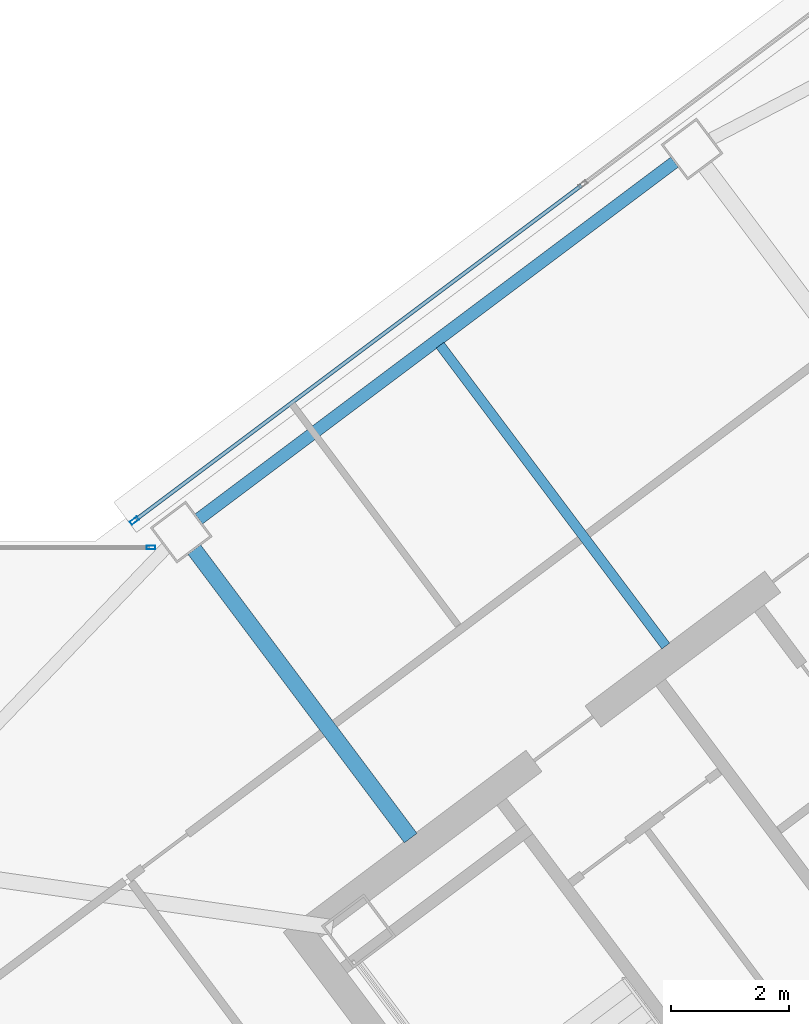
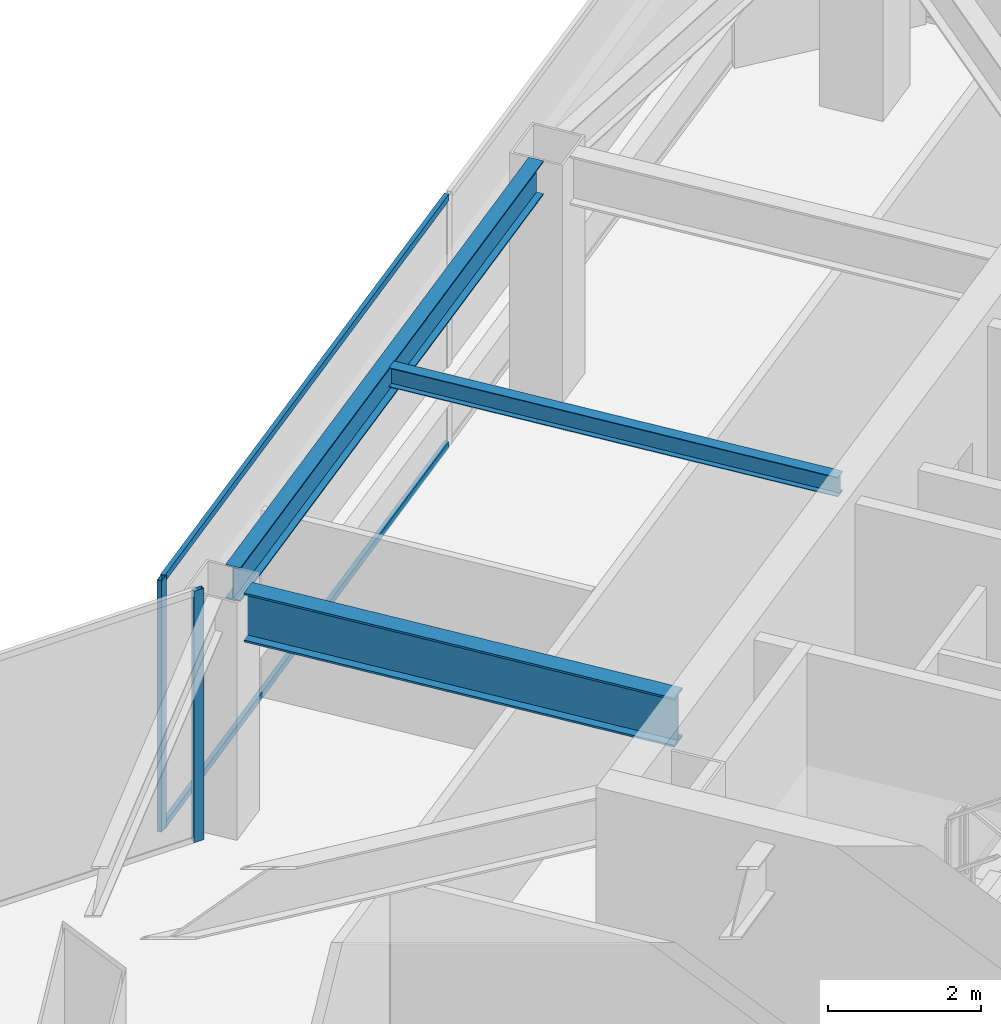
# One storey, part 35 of 53: 4 members, 3 beams, 2 elements without a shape of their own.
"""IFC4 building model written with IfcOpenShell, lengths in metres."""

from ifc_helpers import new_model, si_unit, direction, frame, origin, origin_2d, place, context, subcontext, project, spatial, hollow_rectangle, i_section, extrude, material, material_profile, profile_set, type_object, element, aggregate, save


model = new_model("IFC4")

# Units and contexts
model_context = context("Model", 3, precision=1e-05, world=origin(), true_north=direction((0.0, 1.0)))
body_context = subcontext(model_context, "Body", "Model", "MODEL_VIEW")
ifc_project = project(units=[si_unit("LENGTHUNIT", "METRE"), si_unit("AREAUNIT", "SQUARE_METRE"), si_unit("VOLUMEUNIT", "CUBIC_METRE"), si_unit("PLANEANGLEUNIT", "RADIAN"), si_unit("MASSUNIT", "GRAM", prefix="KILO")], contexts=[model_context])

# Site, building, storey
site_placement = place(None, origin())
site = spatial("IfcSite", under=ifc_project, at=site_placement, CompositionType="ELEMENT")
building_placement = place(site_placement, origin())
building = spatial("IfcBuilding", under=site, at=building_placement, Name="Tashvorn Skyway Center", CompositionType="ELEMENT")
storey_placement = place(building_placement, frame((0.0, 0.0, 255.39990234375)))
storey = spatial("IfcBuildingStorey", under=building, at=storey_placement, Name="L69", CompositionType="ELEMENT", Elevation=255.39990234375)

# Beams
ifc_material_1 = material(Name="Steel ASTM A992 Grade 50", Category="steel")
ifc_material_profile_1 = material_profile(ifc_material_1, i_section(OverallWidth=0.26708984375, OverallDepth=0.779052734375, WebThickness=0.0166015625, FlangeThickness=0.030029296875, at=origin_2d()), Name="W30X148")
ifc_profile_set_1 = profile_set([ifc_material_profile_1], Name="Steel ASTM A992 Grade 50")
beam_type_1 = type_object("IfcBeamType", Name="BM-BEAM-W30X148", PredefinedType="BEAM", material=ifc_profile_set_1)
beam_1_placement = place(storey_placement, frame((101.35205078125, 39.864013671875, 3.390625), z_axis=(0.599980788915, -0.800014407953, 0.0), x_axis=(0.800014407953, 0.599980788915, 0.0)))
element("IfcBeam", 1, at=beam_1_placement, inside=storey, type_object=beam_type_1, Name="Tower 2 L69 Primary Floor Girder FC-N2", PredefinedType="BEAM", context=body_context, shape_type="SweptSolid", body=[
    extrude(i_section(OverallWidth=0.26708984375, OverallDepth=0.779052734375, WebThickness=0.0166015625, FlangeThickness=0.030029296875, at=origin_2d()), origin(), (0.0, 0.0, 1.0), 6.10009765625),
])
ifc_material_profile_2 = material_profile(ifc_material_1, i_section(OverallWidth=0.1650390625, OverallDepth=0.31005859375, WebThickness=0.005859375, FlangeThickness=0.009765625, at=origin_2d()), Name="W12X26")
ifc_profile_set_2 = profile_set([ifc_material_profile_2], Name="Steel ASTM A992 Grade 50")
beam_type_2 = type_object("IfcBeamType", Name="BM-JOIST-W12X26", PredefinedType="JOIST", material=ifc_profile_set_2)
beam_2_placement = place(storey_placement, frame((109.325927734375, 38.23193359375, 3.625), z_axis=(-0.599981581373, 0.800013813639, 0.0), x_axis=(-0.800013813639, -0.599981581373, 0.0)))
element("IfcBeam", 2, at=beam_2_placement, inside=storey, type_object=beam_type_2, Name="Tower 2 L69 Secondary Composite Joist JN", PredefinedType="JOIST", context=body_context, shape_type="SweptSolid", body=[
    extrude(i_section(OverallWidth=0.1650390625, OverallDepth=0.31005859375, WebThickness=0.005859375, FlangeThickness=0.009765625, at=origin_2d()), origin(), (0.0, 0.0, 1.0), 6.362548828125),
])
ifc_material_profile_3 = material_profile(ifc_material_1, i_section(OverallWidth=0.2109375, OverallDepth=0.5390625, WebThickness=0.01171875, FlangeThickness=0.018798828125, at=origin_2d()), Name="W21X73")
ifc_profile_set_3 = profile_set([ifc_material_profile_3], Name="Steel ASTM A992 Grade 50")
beam_type_3 = type_object("IfcBeamType", Name="BM-SPANDREL-W21X73", PredefinedType="SPANDREL", material=ifc_profile_set_3)
beam_3_placement = place(storey_placement, frame((109.47412109375, 46.41796875, 3.510498046875), z_axis=(-0.800008736549, -0.599988351091, 0.0), x_axis=(0.599988351091, -0.800008736549, 0.0)))
element("IfcBeam", 3, at=beam_3_placement, inside=storey, type_object=beam_type_3, Name="Tower 2 L69 Spandrel Beam 08", PredefinedType="SPANDREL", context=body_context, shape_type="SweptSolid", body=[
    extrude(i_section(OverallWidth=0.2109375, OverallDepth=0.5390625, WebThickness=0.01171875, FlangeThickness=0.018798828125, at=origin_2d()), origin(), (0.0, 0.0, 1.0), 10.06005859375),
])

# Curtain wall, member
ifc_material_2 = material(Name="Thermally broken bronze-anodized aluminium 6063-T6", Category="aluminium")
curtain_wall_type = type_object("IfcCurtainWallType", Name="CW-CW-SKY", PredefinedType="NOTDEFINED", material=ifc_material_2)
curtain_wall_1_placement = place(storey_placement, origin())
curtain_wall_1 = element("IfcCurtainWall", 4, at=curtain_wall_1_placement, inside=storey, type_object=curtain_wall_type, Name="Tower 2 L69 North Curtain Wall B", PredefinedType="NOTDEFINED")
ifc_material_profile_4 = material_profile(ifc_material_2, hollow_rectangle(XDim=0.06494140625, YDim=0.14990234375, WallThickness=0.00390625, at=origin_2d()), Name="ALU-MULL-65x150")
ifc_profile_set_4 = profile_set([ifc_material_profile_4], Name="Thermally broken bronze-anodized aluminium 6063-T6")
member_type_1 = type_object("IfcMemberType", Name="CWM-CW-SKY", PredefinedType="MULLION", material=ifc_profile_set_4)
member_1_placement = place(storey_placement, frame((100.337890625, 40.353515625, 0.0), z_axis=(0.0, 0.0, 1.0), x_axis=(-0.600000000002, 0.799999999998, 0.0)))
member_1 = element("IfcMember", 5, at=member_1_placement, type_object=member_type_1, Name="CW-SKY mullion 1", PredefinedType="MULLION", context=body_context, shape_type="SweptSolid", body=[
    extrude(hollow_rectangle(XDim=0.06494140625, YDim=0.14990234375, WallThickness=0.00390625, at=origin_2d()), origin(), (0.0, 0.0, 1.0), 4.0),
])

curtain_wall_2_placement = place(storey_placement, origin())
curtain_wall_2 = element("IfcCurtainWall", 6, at=curtain_wall_2_placement, inside=storey, type_object=curtain_wall_type, Name="Tower 2 L69 Vestibule North Curtain Wall", PredefinedType="NOTDEFINED")
member_2_placement = place(storey_placement, frame((100.617431640625, 39.89990234375, 0.0), z_axis=(0.0, 0.0, 1.0), x_axis=(0.0, 1.0, 0.0)))
member_2 = element("IfcMember", 7, at=member_2_placement, type_object=member_type_1, Name="CW-SKY mullion 2", PredefinedType="MULLION", context=body_context, shape_type="SweptSolid", body=[
    extrude(hollow_rectangle(XDim=0.06494140625, YDim=0.14990234375, WallThickness=0.00390625, at=origin_2d()), origin(), (0.0, 0.0, 1.0), 4.0),
])
aggregate(curtain_wall_2, [member_2])

# Member
ifc_material_profile_5 = material_profile(ifc_material_2, hollow_rectangle(XDim=0.06494140625, YDim=0.10498046875, WallThickness=0.00390625, at=origin_2d()), Name="ALU-TRAN-65x105")
ifc_profile_set_5 = profile_set([ifc_material_profile_5], Name="Thermally broken bronze-anodized aluminium 6063-T6")
member_type_2 = type_object("IfcMemberType", Name="CWT-CW-SKY", PredefinedType="USERDEFINED", material=ifc_profile_set_5)
member_3_placement = place(storey_placement, frame((100.364013671875, 40.373046875, 0.03271484375), z_axis=(0.800003110925, 0.599995852077, 0.0), x_axis=(-0.599995852077, 0.800003110925, 0.0)))
member_3 = element("IfcMember", 8, at=member_3_placement, type_object=member_type_2, Name="CW-SKY transom 1.1", ObjectType="TRANSOM", PredefinedType="USERDEFINED", context=body_context, shape_type="SweptSolid", body=[
    extrude(hollow_rectangle(XDim=0.06494140625, YDim=0.10498046875, WallThickness=0.00390625, at=origin_2d()), origin(), (0.0, 0.0, 1.0), 9.41748046875),
])

member_4_placement = place(storey_placement, frame((100.364013671875, 40.373046875, 3.967529296875), z_axis=(0.800003110925, 0.599995852077, 0.0), x_axis=(-0.599995852077, 0.800003110925, 0.0)))
member_4 = element("IfcMember", 9, at=member_4_placement, type_object=member_type_2, Name="CW-SKY transom 1.2", ObjectType="TRANSOM", PredefinedType="USERDEFINED", context=body_context, shape_type="SweptSolid", body=[
    extrude(hollow_rectangle(XDim=0.06494140625, YDim=0.10498046875, WallThickness=0.00390625, at=origin_2d()), origin(), (0.0, 0.0, 1.0), 9.41748046875),
])

aggregate(curtain_wall_1, [member_1, member_3, member_4])

save(model, "model.ifc")
